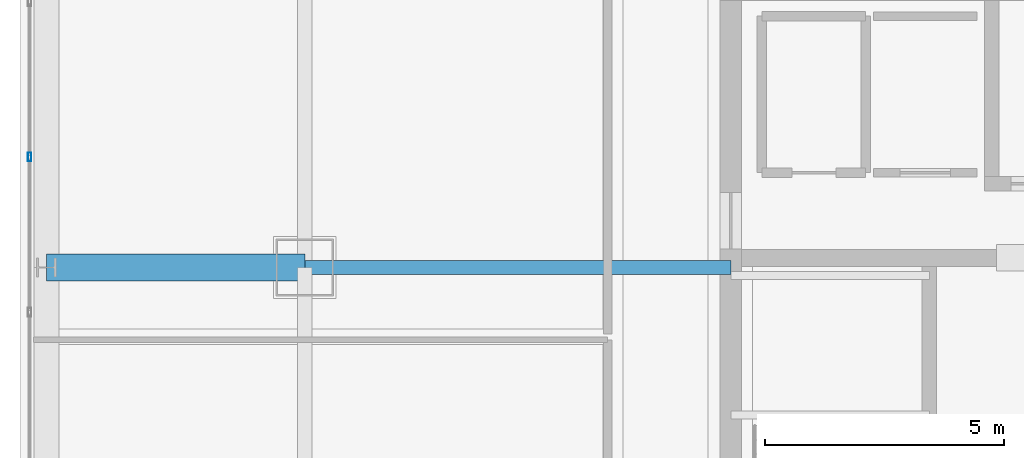
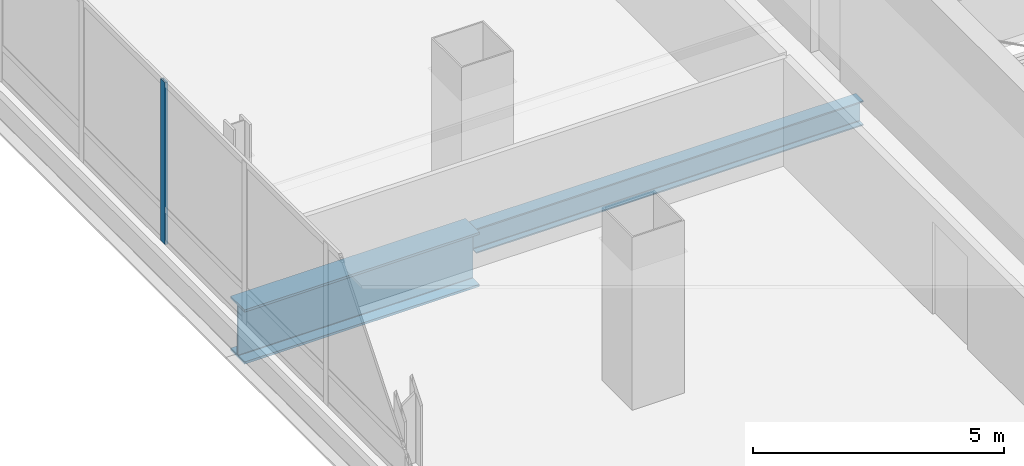
# One storey, part 14 of 46: 2 beams, 1 member, 1 element without a shape of its own.
"""IFC4 building model written with IfcOpenShell, lengths in metres."""

from ifc_helpers import new_model, si_unit, direction, frame, origin, origin_2d, place, context, subcontext, project, spatial, hollow_rectangle, i_section, extrude, material, material_profile, profile_set, type_object, element, aggregate, save


model = new_model("IFC4")

# Units and contexts
model_context = context("Model", 3, precision=1e-05, world=origin(), true_north=direction((0.0, 1.0)))
body_context = subcontext(model_context, "Body", "Model", "MODEL_VIEW")
ifc_project = project(units=[si_unit("LENGTHUNIT", "METRE"), si_unit("AREAUNIT", "SQUARE_METRE"), si_unit("VOLUMEUNIT", "CUBIC_METRE"), si_unit("PLANEANGLEUNIT", "RADIAN"), si_unit("MASSUNIT", "GRAM", prefix="KILO")], contexts=[model_context])

# Site, building, storey
site_placement = place(None, origin())
site = spatial("IfcSite", under=ifc_project, at=site_placement, CompositionType="ELEMENT")
building_placement = place(site_placement, origin())
building = spatial("IfcBuilding", under=site, at=building_placement, Name="Punatoya Terracotta Tower", CompositionType="ELEMENT")
storey_placement = place(building_placement, frame((0.0, 0.0, 330.0)))
storey = spatial("IfcBuildingStorey", under=building, at=storey_placement, Name="L78", CompositionType="ELEMENT", Elevation=330.0)

# Beams
ifc_material_1 = material(Name="Steel S355", Category="steel")
ifc_material_profile_1 = material_profile(ifc_material_1, i_section(OverallWidth=0.300048828125, OverallDepth=0.60009765625, WebThickness=0.015380859375, FlangeThickness=0.030029296875, FilletRadius=0.01806640625, at=origin_2d()))
ifc_profile_set_1 = profile_set([ifc_material_profile_1], Name="Steel S355")
beam_type_1 = type_object("IfcBeamType", Name="BM-PRI-600", PredefinedType="BEAM", material=ifc_profile_set_1)
beam_1_placement = place(storey_placement, frame((-19.10009765625, 3.39990234375, -0.5), z_axis=(1.0, 0.0, 0.0), x_axis=(0.0, 1.0, 0.0)))
element("IfcBeam", 1, at=beam_1_placement, inside=storey, type_object=beam_type_1, Name="BM-L78-PR-WE", PredefinedType="BEAM", context=body_context, shape_type="SweptSolid", body=[
    extrude(i_section(OverallWidth=0.300048828125, OverallDepth=0.60009765625, WebThickness=0.015380859375, FlangeThickness=0.030029296875, FilletRadius=0.01806640625, at=origin_2d()), origin(), (0.0, 0.0, 1.0), 8.900146484375),
])
ifc_material_2 = material(Name="Steel S460", Category="steel")
ifc_material_profile_2 = material_profile(ifc_material_2, i_section(OverallWidth=0.56005859375, OverallDepth=1.320068359375, WebThickness=0.035888671875, FlangeThickness=0.054931640625, FilletRadius=0.01806640625, at=origin_2d()))
ifc_profile_set_2 = profile_set([ifc_material_profile_2], Name="Steel S460")
beam_type_2 = type_object("IfcBeamType", Name="BM-TG-BLK", PredefinedType="BEAM", material=ifc_profile_set_2)
beam_2_placement = place(storey_placement, frame((-24.5, 3.39990234375, -0.860107421875), z_axis=(1.0, 0.0, 0.0), x_axis=(0.0, 1.0, 0.0)))
element("IfcBeam", 2, at=beam_2_placement, inside=storey, type_object=beam_type_2, Name="BM-L78-CANT-W3", PredefinedType="BEAM", context=body_context, shape_type="SweptSolid", body=[
    extrude(i_section(OverallWidth=0.56005859375, OverallDepth=1.320068359375, WebThickness=0.035888671875, FlangeThickness=0.054931640625, FilletRadius=0.01806640625, at=origin_2d()), origin(), (0.0, 0.0, 1.0), 5.39990234375),
])

# Curtain wall, member
ifc_material_3 = material(Name="Aluminium 6063-T6 + Double Low-E Glass", Category="aluminium")
curtain_wall_type = type_object("IfcCurtainWallType", Name="CW-OBS", PredefinedType="NOTDEFINED", material=ifc_material_3)
curtain_wall_placement = place(storey_placement, origin())
curtain_wall = element("IfcCurtainWall", 3, at=curtain_wall_placement, inside=storey, type_object=curtain_wall_type, Name="L78 Curtain Wall CW-L78-W13-1", PredefinedType="NOTDEFINED")
ifc_material_4 = material(Name="Aluminium 6063-T6", Category="aluminium")
ifc_material_profile_3 = material_profile(ifc_material_4, hollow_rectangle(XDim=0.070068359375, YDim=0.179931640625, WallThickness=0.00390625, at=origin_2d()))
ifc_profile_set_3 = profile_set([ifc_material_profile_3], Name="Aluminium 6063-T6")
member_type = type_object("IfcMemberType", Name="CW-MUL-M3", PredefinedType="MULLION", material=ifc_profile_set_3)
member_placement = place(storey_placement, frame((-24.85009765625, 5.707763671875, 0.0), z_axis=(0.0, 0.0, 1.0), x_axis=(1.0, 0.0, 0.0)))
member = element("IfcMember", 4, at=member_placement, type_object=member_type, Name="CW-L78-W13-1 Mullion 03", PredefinedType="MULLION", context=body_context, shape_type="SweptSolid", body=[
    extrude(hollow_rectangle(XDim=0.070068359375, YDim=0.179931640625, WallThickness=0.00390625, at=origin_2d()), origin(), (0.0, 0.0, 1.0), 3.93994140625),
])
aggregate(curtain_wall, [member])

save(model, "model.ifc")
